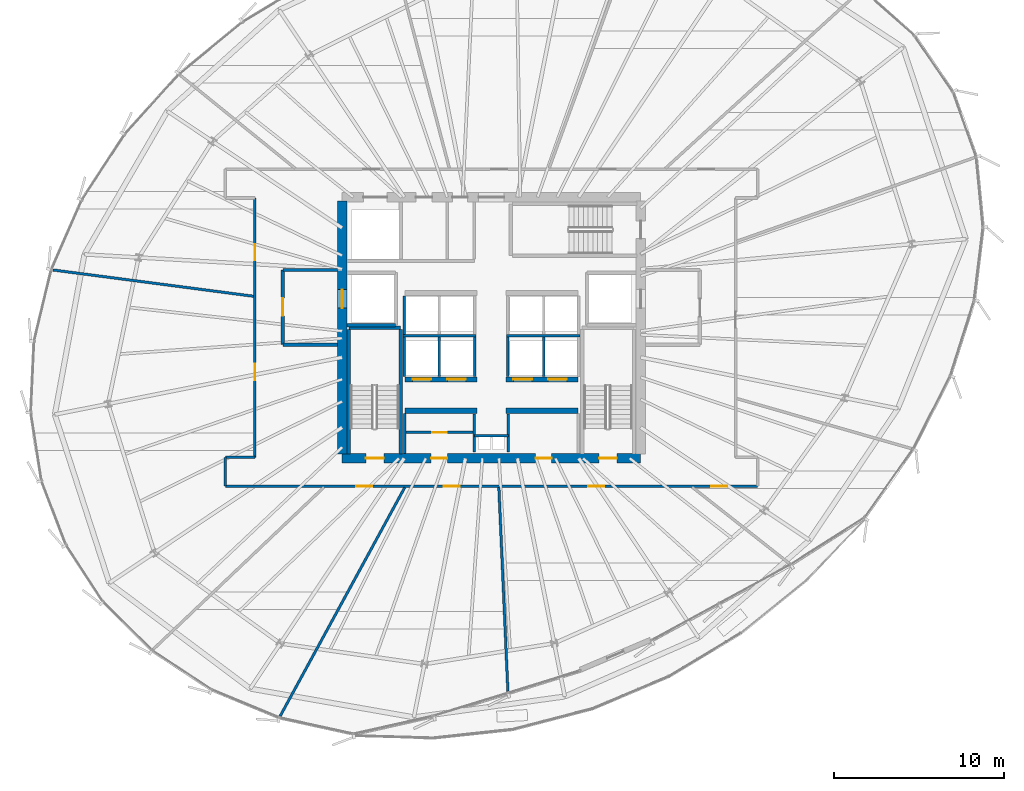
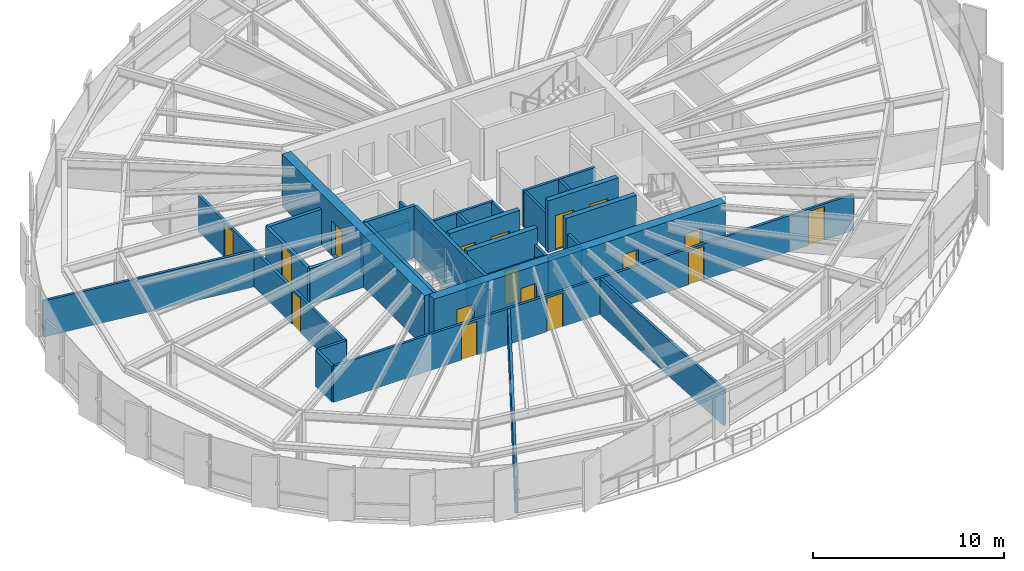
# One storey, part 29 of 36: 33 walls, 17 doors, 17 openings.
"""IFC4 building model written with IfcOpenShell, lengths in metres."""

from ifc_helpers import new_model, si_unit, direction, frame, frame_2d, origin, place, context, subcontext, project, spatial, rectangle, extrude, source, transform, mapped, material, layer, layer_set, type_object, element, fill, save


model = new_model("IFC4")

# Units and contexts
model_context = context("Model", 3, precision=1e-05, world=origin(), true_north=direction((0.0, 1.0)))
body_context = subcontext(model_context, "Body", "Model", "MODEL_VIEW")
ifc_project = project(units=[si_unit("LENGTHUNIT", "METRE"), si_unit("AREAUNIT", "SQUARE_METRE"), si_unit("VOLUMEUNIT", "CUBIC_METRE"), si_unit("PLANEANGLEUNIT", "RADIAN"), si_unit("MASSUNIT", "GRAM", prefix="KILO"), si_unit("THERMODYNAMICTEMPERATUREUNIT", "KELVIN")], contexts=[model_context])

# Site, building, storey
site_placement = place(None, origin())
site = spatial("IfcSite", under=ifc_project, at=site_placement, CompositionType="ELEMENT")
building_placement = place(site_placement, origin())
building = spatial("IfcBuilding", under=site, at=building_placement, Name="Kethvar Cultural Tower", CompositionType="ELEMENT")
storey_placement = place(building_placement, frame((0.0, 0.0, 143.0)))
storey = spatial("IfcBuildingStorey", under=building, at=storey_placement, Name="L36", CompositionType="ELEMENT", Elevation=143.0)

# Wall, openings, doors
ifc_material_1 = material(Name="Concrete C60/75", Category="concrete")
ifc_layer_1 = layer(ifc_material_1, 0.550048828125, Name="Concrete C60/75", Category="concrete")
ifc_layer_set_1 = layer_set([ifc_layer_1], Name="Concrete C60/75 (550 mm)")
wall_type_1 = type_object("IfcWallType", Name="WL-CORE-550", PredefinedType="SHEAR", material=ifc_layer_set_1)
wall_1_placement = place(storey_placement, frame((38.0, 20.10009765625, 0.0), z_axis=(0.0, 0.0, 1.0), x_axis=(1.0, 0.0, 0.0)))
wall_1 = element("IfcWall", 1, at=wall_1_placement, inside=storey, type_object=wall_type_1, Name="L36 Core Shear Wall S", PredefinedType="SHEAR", context=body_context, shape_type="SweptSolid", body=[
    extrude(rectangle(XDim=17.60009765625, YDim=0.550048828125, at=frame_2d((8.800048828125, 0.0))), origin(), (0.0, 0.0, 1.0), 3.300048828125),
])
opening_1_placement = place(wall_1_placement, frame((1.39990234375, 0.0, 0.0)))
opening_1 = element("IfcOpeningElement", 2, at=opening_1_placement, cuts=wall_1, Name="Opening D-L36-S1", PredefinedType="OPENING", context=body_context, shape_type="SweptSolid", body=[
    extrude(rectangle(XDim=1.050048828125, YDim=2.14990234375, at=frame_2d((0.52490234375, 1.074951171875))), frame((0.0, 0.284912109375, 0.0), z_axis=(0.0, -1.0, 0.0), x_axis=(1.0, 0.0, 0.0)), (0.0, 0.0, 1.0), 0.570068359375),
])
opening_2_placement = place(wall_1_placement, frame((15.14990234375, 0.0, 0.0)))
opening_2 = element("IfcOpeningElement", 3, at=opening_2_placement, cuts=wall_1, Name="Opening D-L36-ST2", PredefinedType="OPENING", context=body_context, shape_type="SweptSolid", body=[
    extrude(rectangle(XDim=1.050048828125, YDim=2.14990234375, at=frame_2d((0.52490234375, 1.074951171875))), frame((0.0, 0.284912109375, 0.0), z_axis=(0.0, -1.0, 0.0), x_axis=(1.0, 0.0, 0.0)), (0.0, 0.0, 1.0), 0.570068359375),
])
opening_3_placement = place(wall_1_placement, frame((5.25, 0.0, 0.0)))
opening_3 = element("IfcOpeningElement", 4, at=opening_3_placement, cuts=wall_1, Name="Opening D-L36-V1", PredefinedType="OPENING", context=body_context, shape_type="SweptSolid", body=[
    extrude(rectangle(XDim=0.949951171875, YDim=2.14990234375, at=frame_2d((0.47509765625, 1.074951171875))), frame((0.0, 0.284912109375, 0.0), z_axis=(0.0, -1.0, 0.0), x_axis=(1.0, 0.0, 0.0)), (0.0, 0.0, 1.0), 0.570068359375),
])
opening_4_placement = place(wall_1_placement, frame((11.39990234375, 0.0, 0.0)))
opening_4 = element("IfcOpeningElement", 5, at=opening_4_placement, cuts=wall_1, Name="Opening D-L36-V2", PredefinedType="OPENING", context=body_context, shape_type="SweptSolid", body=[
    extrude(rectangle(XDim=0.949951171875, YDim=2.14990234375, at=frame_2d((0.47509765625, 1.074951171875))), frame((0.0, 0.284912109375, 0.0), z_axis=(0.0, -1.0, 0.0), x_axis=(1.0, 0.0, 0.0)), (0.0, 0.0, 1.0), 0.570068359375),
])
ifc_material_2 = material(Name="Steel S355J2", Category="steel")
door_type_1 = type_object("IfcDoorType", Name="DR-FD60-1050", OperationType="NOTDEFINED", PredefinedType="DOOR", material=ifc_material_2)
shared_shape_1 = source(origin(), body_context, "Body", "SweptSolid", [
    extrude(rectangle(XDim=1.050048828125, YDim=2.14990234375, at=frame_2d((0.52490234375, 1.074951171875))), frame((0.0, 0.02490234375, 0.0), z_axis=(0.0, -1.0, 0.0), x_axis=(1.0, 0.0, 0.0)), (0.0, 0.0, 1.0), 0.050048828125),
])
door_1_placement = place(opening_1_placement, origin())
door_1 = element("IfcDoor", 6, at=door_1_placement, inside=storey, type_object=door_type_1, Name="L36 Exit Stair 1 Door", OperationType="SINGLE_SWING_LEFT", OverallHeight=2.14990234375, OverallWidth=1.050048828125, PredefinedType="DOOR", context=body_context, shape_type="MappedRepresentation", body=[
    mapped(shared_shape_1, transform((0.0, 0.0, 0.0), scale=1.0)),
])
fill(opening_1, door_1)
door_2_placement = place(opening_2_placement, origin())
door_2 = element("IfcDoor", 7, at=door_2_placement, inside=storey, type_object=door_type_1, Name="L36 Exit Stair 2 Door", OperationType="SINGLE_SWING_RIGHT", OverallHeight=2.14990234375, OverallWidth=1.050048828125, PredefinedType="DOOR", context=body_context, shape_type="MappedRepresentation", body=[
    mapped(shared_shape_1, transform((0.0, 0.0, 0.0), scale=1.0)),
])
fill(opening_2, door_2)
ifc_material_3 = material(Name="Architectural Oak Timber", Category="wood")
door_type_2 = type_object("IfcDoorType", Name="DR-FD30-950", OperationType="NOTDEFINED", PredefinedType="DOOR", material=ifc_material_3)
shared_shape_2 = source(origin(), body_context, "Body", "SweptSolid", [
    extrude(rectangle(XDim=0.949951171875, YDim=2.14990234375, at=frame_2d((0.47509765625, 1.074951171875))), frame((0.0, 0.02490234375, 0.0), z_axis=(0.0, -1.0, 0.0), x_axis=(1.0, 0.0, 0.0)), (0.0, 0.0, 1.0), 0.050048828125),
])
door_3_placement = place(opening_3_placement, origin())
door_3 = element("IfcDoor", 8, at=door_3_placement, inside=storey, type_object=door_type_2, Name="L36 Reclaimed West South Door", OperationType="SINGLE_SWING_LEFT", OverallHeight=2.14990234375, OverallWidth=0.949951171875, PredefinedType="DOOR", context=body_context, shape_type="MappedRepresentation", body=[
    mapped(shared_shape_2, transform((0.0, 0.0, 0.0), scale=1.0)),
])
fill(opening_3, door_3)
door_4_placement = place(opening_4_placement, origin())
door_4 = element("IfcDoor", 9, at=door_4_placement, inside=storey, type_object=door_type_2, Name="L36 Reclaimed East Server Door", OperationType="SINGLE_SWING_RIGHT", OverallHeight=2.14990234375, OverallWidth=0.949951171875, PredefinedType="DOOR", context=body_context, shape_type="MappedRepresentation", body=[
    mapped(shared_shape_2, transform((0.0, 0.0, 0.0), scale=1.0)),
])
fill(opening_4, door_4)

# Wall, opening, door
wall_2_placement = place(storey_placement, frame((38.0, 35.260009765625, 0.0), z_axis=(0.0, 0.0, 1.0), x_axis=(0.0, -1.0, 0.0)))
wall_2 = element("IfcWall", 10, at=wall_2_placement, inside=storey, type_object=wall_type_1, Name="L36 Core Shear Wall W", PredefinedType="SHEAR", context=body_context, shape_type="SweptSolid", body=[
    extrude(rectangle(XDim=14.919921875, YDim=0.550048828125, at=frame_2d((7.4599609375, 0.0))), origin(), (0.0, 0.0, 1.0), 3.300048828125),
])
opening_5_placement = place(wall_2_placement, frame((5.2099609375, 0.0, 0.0)))
opening_5 = element("IfcOpeningElement", 11, at=opening_5_placement, cuts=wall_2, Name="Opening LD-1", PredefinedType="OPENING", context=body_context, shape_type="SweptSolid", body=[
    extrude(rectangle(XDim=1.10009765625, YDim=2.199951171875, at=frame_2d((0.550048828125, 1.10009765625))), frame((0.0, 0.284912109375, 0.0), z_axis=(0.0, -1.0, 0.0), x_axis=(1.0, 0.0, 0.0)), (0.0, 0.0, 1.0), 0.570068359375),
])
door_type_3 = type_object("IfcDoorType", Name="DR-LIFT-SLIDE-1100", OperationType="NOTDEFINED", PredefinedType="DOOR", material=ifc_material_2)
shared_shape_3 = source(origin(), body_context, "Body", "SweptSolid", [
    extrude(rectangle(XDim=1.10009765625, YDim=2.199951171875, at=frame_2d((0.550048828125, 1.10009765625))), frame((0.0, 0.02490234375, 0.0), z_axis=(0.0, -1.0, 0.0), x_axis=(1.0, 0.0, 0.0)), (0.0, 0.0, 1.0), 0.050048828125),
])
door_5_placement = place(opening_5_placement, origin())
door_5 = element("IfcDoor", 12, at=door_5_placement, inside=storey, type_object=door_type_3, Name="L36 Firefighting Lift Landing Door FFL-01", OperationType="SLIDING_TO_LEFT", OverallHeight=2.199951171875, OverallWidth=1.10009765625, PredefinedType="DOOR", context=body_context, shape_type="MappedRepresentation", body=[
    mapped(shared_shape_3, transform((0.0, 0.0, 0.0), scale=1.0)),
])
fill(opening_5, door_5)

# Walls
ifc_material_4 = material(Name="Gypsum Fireboard Partition")
ifc_layer_2 = layer(ifc_material_4, 0.14990234375, Name="Gypsum Fireboard Partition")
ifc_layer_set_2 = layer_set([ifc_layer_2], Name="Gypsum Fireboard Partition (150 mm)")
wall_type_2 = type_object("IfcWallType", Name="WL-FIRE-150", PredefinedType="PARTITIONING", material=ifc_layer_set_2)
wall_3_placement = place(storey_placement, frame((45.800048828125, 21.419921875, 0.0), z_axis=(0.0, 0.0, 1.0), x_axis=(1.0, 0.0, 0.0)))
element("IfcWall", 13, at=wall_3_placement, inside=storey, type_object=wall_type_2, Name="L36 Core Riser Wall", PredefinedType="PARTITIONING", context=body_context, shape_type="SweptSolid", body=[
    extrude(rectangle(XDim=2.0, YDim=0.14990234375, at=frame_2d((1.0, 0.0))), origin(), (0.0, 0.0, 1.0), 2.304931640625),
])
for number, where, z_axis, x_axis, name in (
    (14, (45.800048828125, 20.47998046875, 0.0), (0.0, 0.0, 1.0), (0.0, 1.0, 0.0), "L36 Core Riser West Wall"),
    (15, (47.800048828125, 20.47998046875, 0.0), (0.0, 0.0, 1.0), (0.0, 1.0, 0.0), "L36 Core Riser East Wall"),
):
    element("IfcWall", number, at=place(storey_placement, frame(where, z_axis=z_axis, x_axis=x_axis)), inside=storey, type_object=wall_type_2, Name=name, PredefinedType="PARTITIONING", context=body_context, shape_type="SweptSolid", body=[
        extrude(rectangle(XDim=2.239990234375, YDim=0.14990234375, at=frame_2d((1.1201171875, 0.0))), origin(), (0.0, 0.0, 1.0), 2.304931640625),
    ])
wall_4_placement = place(storey_placement, frame((41.679931640625, 20.385009765625, 0.0), z_axis=(0.0, 0.0, 1.0), x_axis=(0.0, 1.0, 0.0)))
element("IfcWall", 16, at=wall_4_placement, inside=storey, type_object=wall_type_2, Name="L36 Reclaimed West Outer Wall", PredefinedType="PARTITIONING", context=body_context, shape_type="SweptSolid", body=[
    extrude(rectangle(XDim=2.344970703125, YDim=0.14990234375, at=frame_2d((1.17236328125, 0.0))), origin(), (0.0, 0.0, 1.0), 2.304931640625),
])

# Wall, opening, door
wall_5_placement = place(storey_placement, frame((41.760009765625, 21.6201171875, 0.0), z_axis=(0.0, 0.0, 1.0), x_axis=(1.0, 0.0, 0.0)))
wall_5 = element("IfcWall", 17, at=wall_5_placement, inside=storey, type_object=wall_type_2, Name="L36 Vault Gallery Wall W", PredefinedType="PARTITIONING", context=body_context, shape_type="SweptSolid", body=[
    extrude(rectangle(XDim=3.9599609375, YDim=0.14990234375, at=frame_2d((1.97998046875, 0.0))), origin(), (0.0, 0.0, 1.0), 2.304931640625),
])
opening_6_placement = place(wall_5_placement, frame((1.550048828125, 0.0, 0.0)))
opening_6 = element("IfcOpeningElement", 18, at=opening_6_placement, cuts=wall_5, Name="Opening D-L36-V3", PredefinedType="OPENING", context=body_context, shape_type="SweptSolid", body=[
    extrude(rectangle(XDim=0.85009765625, YDim=2.14990234375, at=frame_2d((0.425048828125, 1.074951171875))), frame((0.0, 0.0849609375, 0.0), z_axis=(0.0, -1.0, 0.0), x_axis=(1.0, 0.0, 0.0)), (0.0, 0.0, 1.0), 0.169921875),
])
door_type_4 = type_object("IfcDoorType", Name="DR-FD30-850", OperationType="NOTDEFINED", PredefinedType="DOOR", material=ifc_material_2)
shared_shape_4 = source(origin(), body_context, "Body", "SweptSolid", [
    extrude(rectangle(XDim=0.85009765625, YDim=2.14990234375, at=frame_2d((0.425048828125, 1.074951171875))), frame((0.0, 0.02490234375, 0.0), z_axis=(0.0, -1.0, 0.0), x_axis=(1.0, 0.0, 0.0)), (0.0, 0.0, 1.0), 0.050048828125),
])
door_6_placement = place(opening_6_placement, origin())
door_6 = element("IfcDoor", 19, at=door_6_placement, inside=storey, type_object=door_type_4, Name="L36 Inner Vault Gallery Door", OperationType="SINGLE_SWING_LEFT", OverallHeight=2.14990234375, OverallWidth=0.85009765625, PredefinedType="DOOR", context=body_context, shape_type="MappedRepresentation", body=[
    mapped(shared_shape_4, transform((0.0, 0.0, 0.0), scale=1.0)),
])
fill(opening_6, door_6)

# Walls
wall_6_placement = place(storey_placement, frame((41.580078125, 27.324951171875, 0.0), z_axis=(0.0, 0.0, 1.0), x_axis=(1.0, 0.0, 0.0)))
element("IfcWall", 20, at=wall_6_placement, inside=storey, type_object=wall_type_2, Name="L36 Mid-High Lift Shaft Back Wall W", PredefinedType="PARTITIONING", context=body_context, shape_type="SweptSolid", body=[
    extrude(rectangle(XDim=4.31982421875, YDim=0.14990234375, at=frame_2d((2.159912109375, 0.0))), origin(), (0.0, 0.0, 1.0), 2.304931640625),
])
wall_7_placement = place(storey_placement, frame((47.699951171875, 27.324951171875, 0.0), z_axis=(0.0, 0.0, 1.0), x_axis=(1.0, 0.0, 0.0)))
element("IfcWall", 21, at=wall_7_placement, inside=storey, type_object=wall_type_2, Name="L36 Mid-High Lift Shaft Back Wall E", PredefinedType="PARTITIONING", context=body_context, shape_type="SweptSolid", body=[
    extrude(rectangle(XDim=4.320068359375, YDim=0.14990234375, at=frame_2d((2.16015625, 0.0))), origin(), (0.0, 0.0, 1.0), 2.304931640625),
])
for number, where, z_axis, x_axis, name in (
    (22, (41.64990234375, 24.919921875, 0.0), (0.0, 0.0, 1.0), (0.0, 1.0, 0.0), "L36 Mid-Rise Lift Shaft Outer Wall W"),
    (23, (43.72509765625, 24.919921875, 0.0), (0.0, 0.0, 1.0), (0.0, 1.0, 0.0), "L36 Mid-Rise Lift Shaft Divider W"),
    (24, (45.824951171875, 24.919921875, 0.0), (0.0, 0.0, 1.0), (0.0, 1.0, 0.0), "L36 Mid-Rise Lift Shaft Concourse Wall W"),
    (25, (47.77490234375, 24.919921875, 0.0), (0.0, 0.0, 1.0), (0.0, 1.0, 0.0), "L36 Mid-Rise Lift Shaft Concourse Wall E"),
    (26, (49.875, 24.919921875, 0.0), (0.0, 0.0, 1.0), (0.0, 1.0, 0.0), "L36 Mid-Rise Lift Shaft Divider E"),
):
    element("IfcWall", number, at=place(storey_placement, frame(where, z_axis=z_axis, x_axis=x_axis)), inside=storey, type_object=wall_type_2, Name=name, PredefinedType="PARTITIONING", context=body_context, shape_type="SweptSolid", body=[
        extrude(rectangle(XDim=2.320068359375, YDim=0.14990234375, at=frame_2d((1.16015625, 0.0))), origin(), (0.0, 0.0, 1.0), 2.304931640625),
    ])
wall_8_placement = place(storey_placement, frame((41.64990234375, 27.409912109375, 0.0), z_axis=(0.0, 0.0, 1.0), x_axis=(0.0, 1.0, 0.0)))
element("IfcWall", 27, at=wall_8_placement, inside=storey, type_object=wall_type_2, Name="L36 High-Rise Lift Shaft Outer Wall W", PredefinedType="PARTITIONING", context=body_context, shape_type="SweptSolid", body=[
    extrude(rectangle(XDim=2.27001953125, YDim=0.14990234375, at=frame_2d((1.135009765625, 0.0))), origin(), (0.0, 0.0, 1.0), 2.304931640625),
])

# Wall, openings, doors
wall_9_placement = place(storey_placement, frame((31.10009765625, 18.449951171875, 0.0), z_axis=(0.0, 0.0, 1.0), x_axis=(1.0, 0.0, 0.0)))
wall_9 = element("IfcWall", 28, at=wall_9_placement, inside=storey, type_object=wall_type_2, Name="L36 Corridor Rated Wall S", PredefinedType="PARTITIONING", context=body_context, shape_type="SweptSolid", body=[
    extrude(rectangle(XDim=31.39990234375, YDim=0.14990234375, at=frame_2d((15.699951171875, 0.0))), origin(), (0.0, 0.0, 1.0), 2.304931640625),
])
opening_7_placement = place(wall_9_placement, frame((7.71923828125, 0.0, 0.0)))
opening_7 = element("IfcOpeningElement", 29, at=opening_7_placement, cuts=wall_9, Name="Opening D-L36-01", PredefinedType="OPENING", context=body_context, shape_type="SweptSolid", body=[
    extrude(rectangle(XDim=0.949951171875, YDim=2.14990234375, at=frame_2d((0.47509765625, 1.074951171875))), frame((0.0, 0.0849609375, 0.0), z_axis=(0.0, -1.0, 0.0), x_axis=(1.0, 0.0, 0.0)), (0.0, 0.0, 1.0), 0.169921875),
])
opening_8_placement = place(wall_9_placement, frame((12.8876953125, 0.0, 0.0)))
opening_8 = element("IfcOpeningElement", 30, at=opening_8_placement, cuts=wall_9, Name="Opening D-L36-02", PredefinedType="OPENING", context=body_context, shape_type="SweptSolid", body=[
    extrude(rectangle(XDim=0.949951171875, YDim=2.14990234375, at=frame_2d((0.47509765625, 1.074951171875))), frame((0.0, 0.0849609375, 0.0), z_axis=(0.0, -1.0, 0.0), x_axis=(1.0, 0.0, 0.0)), (0.0, 0.0, 1.0), 0.169921875),
])
opening_9_placement = place(wall_9_placement, frame((21.4150390625, 0.0, 0.0)))
opening_9 = element("IfcOpeningElement", 31, at=opening_9_placement, cuts=wall_9, Name="Opening D-L36-03", PredefinedType="OPENING", context=body_context, shape_type="SweptSolid", body=[
    extrude(rectangle(XDim=0.949951171875, YDim=2.14990234375, at=frame_2d((0.47509765625, 1.074951171875))), frame((0.0, 0.0849609375, 0.0), z_axis=(0.0, -1.0, 0.0), x_axis=(1.0, 0.0, 0.0)), (0.0, 0.0, 1.0), 0.169921875),
])
opening_10_placement = place(wall_9_placement, frame((28.672119140625, 0.0, 0.0)))
opening_10 = element("IfcOpeningElement", 32, at=opening_10_placement, cuts=wall_9, Name="Opening D-L36-04", PredefinedType="OPENING", context=body_context, shape_type="SweptSolid", body=[
    extrude(rectangle(XDim=0.949951171875, YDim=2.14990234375, at=frame_2d((0.47509765625, 1.074951171875))), frame((0.0, 0.0849609375, 0.0), z_axis=(0.0, -1.0, 0.0), x_axis=(1.0, 0.0, 0.0)), (0.0, 0.0, 1.0), 0.169921875),
])
door_7_placement = place(opening_7_placement, origin())
door_7 = element("IfcDoor", 33, at=door_7_placement, inside=storey, type_object=door_type_2, Name="L36 Compact Archival Store 01 Door", OperationType="SINGLE_SWING_LEFT", OverallHeight=2.14990234375, OverallWidth=0.949951171875, PredefinedType="DOOR", context=body_context, shape_type="MappedRepresentation", body=[
    mapped(shared_shape_2, transform((0.0, 0.0, 0.0), scale=1.0)),
])
fill(opening_7, door_7)
door_8_placement = place(opening_8_placement, origin())
door_8 = element("IfcDoor", 34, at=door_8_placement, inside=storey, type_object=door_type_2, Name="L36 Rare Folio Storage 02 Door", OperationType="SINGLE_SWING_RIGHT", OverallHeight=2.14990234375, OverallWidth=0.949951171875, PredefinedType="DOOR", context=body_context, shape_type="MappedRepresentation", body=[
    mapped(shared_shape_2, transform((0.0, 0.0, 0.0), scale=1.0)),
])
fill(opening_8, door_8)
door_9_placement = place(opening_9_placement, origin())
door_9 = element("IfcDoor", 35, at=door_9_placement, inside=storey, type_object=door_type_2, Name="L36 Publication Archive Store 03 Door", OperationType="SINGLE_SWING_LEFT", OverallHeight=2.14990234375, OverallWidth=0.949951171875, PredefinedType="DOOR", context=body_context, shape_type="MappedRepresentation", body=[
    mapped(shared_shape_2, transform((0.0, 0.0, 0.0), scale=1.0)),
])
fill(opening_9, door_9)
door_10_placement = place(opening_10_placement, origin())
door_10 = element("IfcDoor", 36, at=door_10_placement, inside=storey, type_object=door_type_2, Name="L36 Special Collections Storage 04 Door", OperationType="SINGLE_SWING_RIGHT", OverallHeight=2.14990234375, OverallWidth=0.949951171875, PredefinedType="DOOR", context=body_context, shape_type="MappedRepresentation", body=[
    mapped(shared_shape_2, transform((0.0, 0.0, 0.0), scale=1.0)),
])
fill(opening_10, door_10)

wall_10_placement = place(storey_placement, frame((32.85009765625, 35.449951171875, 0.0), z_axis=(0.0, 0.0, 1.0), x_axis=(0.0, -1.0, 0.0)))
wall_10 = element("IfcWall", 37, at=wall_10_placement, inside=storey, type_object=wall_type_2, Name="L36 Corridor Rated Wall WM", PredefinedType="PARTITIONING", context=body_context, shape_type="SweptSolid", body=[
    extrude(rectangle(XDim=15.300048828125, YDim=0.14990234375, at=frame_2d((7.64990234375, 0.0))), origin(), (0.0, 0.0, 1.0), 2.304931640625),
])
opening_11_placement = place(wall_10_placement, frame((2.71875, 0.0, 0.0)))
opening_11 = element("IfcOpeningElement", 38, at=opening_11_placement, cuts=wall_10, Name="Opening D-L36-10", PredefinedType="OPENING", context=body_context, shape_type="SweptSolid", body=[
    extrude(rectangle(XDim=0.949951171875, YDim=2.14990234375, at=frame_2d((0.47509765625, 1.074951171875))), frame((0.0, 0.0849609375, 0.0), z_axis=(0.0, -1.0, 0.0), x_axis=(1.0, 0.0, 0.0)), (0.0, 0.0, 1.0), 0.169921875),
])
opening_12_placement = place(wall_10_placement, frame((9.78759765625, 0.0, 0.0)))
opening_12 = element("IfcOpeningElement", 39, at=opening_12_placement, cuts=wall_10, Name="Opening D-L36-11", PredefinedType="OPENING", context=body_context, shape_type="SweptSolid", body=[
    extrude(rectangle(XDim=0.949951171875, YDim=2.14990234375, at=frame_2d((0.47509765625, 1.074951171875))), frame((0.0, 0.0849609375, 0.0), z_axis=(0.0, -1.0, 0.0), x_axis=(1.0, 0.0, 0.0)), (0.0, 0.0, 1.0), 0.169921875),
])
door_11_placement = place(opening_11_placement, origin())
door_11 = element("IfcDoor", 40, at=door_11_placement, inside=storey, type_object=door_type_2, Name="L36 Delegation Briefing Foyer 10 Door", OperationType="SINGLE_SWING_RIGHT", OverallHeight=2.14990234375, OverallWidth=0.949951171875, PredefinedType="DOOR", context=body_context, shape_type="MappedRepresentation", body=[
    mapped(shared_shape_2, transform((0.0, 0.0, 0.0), scale=1.0)),
])
fill(opening_11, door_11)
door_12_placement = place(opening_12_placement, origin())
door_12 = element("IfcDoor", 41, at=door_12_placement, inside=storey, type_object=door_type_2, Name="L36 Executive Boardroom 11 Door", OperationType="SINGLE_SWING_LEFT", OverallHeight=2.14990234375, OverallWidth=0.949951171875, PredefinedType="DOOR", context=body_context, shape_type="MappedRepresentation", body=[
    mapped(shared_shape_2, transform((0.0, 0.0, 0.0), scale=1.0)),
])
fill(opening_12, door_12)

# Walls
wall_11_placement = place(storey_placement, frame((32.85009765625, 20.14990234375, 0.0), z_axis=(0.0, 0.0, 1.0), x_axis=(-1.0, 0.0, 0.0)))
element("IfcWall", 42, at=wall_11_placement, inside=storey, type_object=wall_type_2, Name="L36 Corridor Rated Wall WST", PredefinedType="PARTITIONING", context=body_context, shape_type="SweptSolid", body=[
    extrude(rectangle(XDim=1.75, YDim=0.14990234375, at=frame_2d((0.875, 0.0))), origin(), (0.0, 0.0, 1.0), 2.304931640625),
])
wall_12_placement = place(storey_placement, frame((31.10009765625, 20.14990234375, 0.0), z_axis=(0.0, 0.0, 1.0), x_axis=(0.0, -1.0, 0.0)))
element("IfcWall", 43, at=wall_12_placement, inside=storey, type_object=wall_type_2, Name="L36 Corridor Rated Wall WS", PredefinedType="PARTITIONING", context=body_context, shape_type="SweptSolid", body=[
    extrude(rectangle(XDim=1.699951171875, YDim=0.14990234375, at=frame_2d((0.85009765625, 0.0))), origin(), (0.0, 0.0, 1.0), 2.304931640625),
])
ifc_material_5 = material(Name="Concrete C40/50", Category="concrete")
ifc_layer_3 = layer(ifc_material_5, 0.199951171875, Name="Concrete C40/50", Category="concrete")
ifc_layer_set_3 = layer_set([ifc_layer_3], Name="Concrete C40/50 (200 mm)")
wall_type_3 = type_object("IfcWallType", Name="WL-FIRE-200", PredefinedType="PARTITIONING", material=ifc_layer_set_3)
wall_13_placement = place(storey_placement, frame((38.284912109375, 27.949951171875, 0.0), z_axis=(0.0, 0.0, 1.0), x_axis=(1.0, 0.0, 0.0)))
element("IfcWall", 44, at=wall_13_placement, inside=storey, type_object=wall_type_3, Name="L36 FFL-01 Shaft South Wall", PredefinedType="PARTITIONING", context=body_context, shape_type="SweptSolid", body=[
    extrude(rectangle(XDim=2.864990234375, YDim=0.199951171875, at=frame_2d((1.4326171875, 0.0))), origin(), (0.0, 0.0, 1.0), 2.304931640625),
])

# Wall, opening, door
wall_14_placement = place(storey_placement, frame((34.5, 31.199951171875, 0.0), z_axis=(0.0, 0.0, 1.0), x_axis=(0.0, -1.0, 0.0)))
wall_14 = element("IfcWall", 45, at=wall_14_placement, inside=storey, type_object=wall_type_3, Name="L36 Firefighting Lobby 1 Wall", PredefinedType="PARTITIONING", context=body_context, shape_type="SweptSolid", body=[
    extrude(rectangle(XDim=4.39990234375, YDim=0.199951171875, at=frame_2d((2.199951171875, 0.0))), origin(), (0.0, 0.0, 1.0), 2.304931640625),
])
opening_13_placement = place(wall_14_placement, frame((1.64990234375, 0.0, 0.0)))
opening_13 = element("IfcOpeningElement", 46, at=opening_13_placement, cuts=wall_14, Name="Opening D-L36-F1", PredefinedType="OPENING", context=body_context, shape_type="SweptSolid", body=[
    extrude(rectangle(XDim=1.050048828125, YDim=2.14990234375, at=frame_2d((0.52490234375, 1.074951171875))), frame((0.0, 0.10986328125, 0.0), z_axis=(0.0, -1.0, 0.0), x_axis=(1.0, 0.0, 0.0)), (0.0, 0.0, 1.0), 0.219970703125),
])
door_13_placement = place(opening_13_placement, origin())
door_13 = element("IfcDoor", 47, at=door_13_placement, inside=storey, type_object=door_type_1, Name="L36 Firefighting Lobby 1 Fire Door", OperationType="SINGLE_SWING_LEFT", OverallHeight=2.14990234375, OverallWidth=1.050048828125, PredefinedType="DOOR", context=body_context, shape_type="MappedRepresentation", body=[
    mapped(shared_shape_1, transform((0.0, 0.0, 0.0), scale=1.0)),
])
fill(opening_13, door_13)

# Walls
for number, where, z_axis, x_axis, name in (
    (48, (34.5, 26.800048828125, 0.0), (0.0, 0.0, 1.0), (1.0, 0.0, 0.0), "L36 FF Lobby 1 South Wall"),
    (49, (34.5, 31.199951171875, 0.0), (0.0, 0.0, 1.0), (1.0, 0.0, 0.0), "L36 FF Lobby 1 North Wall"),
):
    element("IfcWall", number, at=place(storey_placement, frame(where, z_axis=z_axis, x_axis=x_axis)), inside=storey, type_object=wall_type_3, Name=name, PredefinedType="PARTITIONING", context=body_context, shape_type="SweptSolid", body=[
        extrude(rectangle(XDim=3.215087890625, YDim=0.199951171875, at=frame_2d((1.607421875, 0.0))), origin(), (0.0, 0.0, 1.0), 2.304931640625),
    ])
ifc_material_6 = material(Name="Gypsum Acoustic Partition")
ifc_layer_4 = layer(ifc_material_6, 0.14990234375, Name="Gypsum Acoustic Partition")
ifc_layer_set_4 = layer_set([ifc_layer_4], Name="Gypsum Acoustic Partition (150 mm)")
wall_type_4 = type_object("IfcWallType", Name="WL-PART-150", PredefinedType="PARTITIONING", material=ifc_layer_set_4)
wall_15_placement = place(storey_placement, frame((41.68994140625, 18.3798828125, 0.0), z_axis=(0.0, 0.0, 1.0), x_axis=(-0.478524839703, -0.878074016121, 0.0)))
element("IfcWall", 50, at=wall_15_placement, inside=storey, type_object=wall_type_4, Name="L36 Radial Partition Wall 02", PredefinedType="PARTITIONING", context=body_context, shape_type="SweptSolid", body=[
    extrude(rectangle(XDim=15.366943359375, YDim=0.14990234375, at=frame_2d((7.68359375, 0.0))), origin(), (0.0, 0.0, 1.0), 2.304931640625),
])
wall_16_placement = place(storey_placement, frame((47.239013671875, 18.3701171875, 0.0), z_axis=(0.0, 0.0, 1.0), x_axis=(0.044266919643, -0.999019739457, 0.0)))
element("IfcWall", 51, at=wall_16_placement, inside=storey, type_object=wall_type_4, Name="L36 Radial Partition Wall 03", PredefinedType="PARTITIONING", context=body_context, shape_type="SweptSolid", body=[
    extrude(rectangle(XDim=12.028564453125, YDim=0.14990234375, at=frame_2d((6.01416015625, 0.0))), origin(), (0.0, 0.0, 1.0), 2.304931640625),
])
wall_17_placement = place(storey_placement, frame((32.770751953125, 29.652587890625, 0.0), z_axis=(0.0, 0.0, 1.0), x_axis=(-0.991514028733, 0.129999733947, 0.0)))
element("IfcWall", 52, at=wall_17_placement, inside=storey, type_object=wall_type_4, Name="L36 Radial Partition Wall 11", PredefinedType="PARTITIONING", context=body_context, shape_type="SweptSolid", body=[
    extrude(rectangle(XDim=11.92919921875, YDim=0.14990234375, at=frame_2d((5.964599609375, 0.0))), origin(), (0.0, 0.0, 1.0), 2.304931640625),
])
ifc_material_7 = material(Name="Concrete C50/60", Category="concrete")
ifc_layer_5 = layer(ifc_material_7, 0.300048828125, Name="Concrete C50/60", Category="concrete")
ifc_layer_set_5 = layer_set([ifc_layer_5], Name="Concrete C50/60 (300 mm)")
wall_type_5 = type_object("IfcWallType", Name="WL-SHAFT-300", PredefinedType="SHEAR", material=ifc_layer_set_5)
for number, where, z_axis, x_axis, name in (
    (53, (41.699951171875, 22.89990234375, 0.0), (0.0, 0.0, 1.0), (1.0, 0.0, 0.0), "L36 Core Lift Spine Wall MID1W"),
    (54, (47.64990234375, 22.89990234375, 0.0), (0.0, 0.0, 1.0), (1.0, 0.0, 0.0), "L36 Core Lift Spine Wall MID1E"),
):
    element("IfcWall", number, at=place(storey_placement, frame(where, z_axis=z_axis, x_axis=x_axis)), inside=storey, type_object=wall_type_5, Name=name, PredefinedType="SHEAR", context=body_context, shape_type="SweptSolid", body=[
        extrude(rectangle(XDim=4.25, YDim=0.300048828125, at=frame_2d((2.125, 0.0))), origin(), (0.0, 0.0, 1.0), 3.300048828125),
    ])

# Wall, openings, doors
wall_18_placement = place(storey_placement, frame((41.699951171875, 24.75, 0.0), z_axis=(0.0, 0.0, 1.0), x_axis=(1.0, 0.0, 0.0)))
wall_18 = element("IfcWall", 55, at=wall_18_placement, inside=storey, type_object=wall_type_5, Name="L36 Core Lift Spine Wall MID2W", PredefinedType="SHEAR", context=body_context, shape_type="SweptSolid", body=[
    extrude(rectangle(XDim=4.25, YDim=0.300048828125, at=frame_2d((2.125, 0.0))), origin(), (0.0, 0.0, 1.0), 3.300048828125),
])
opening_14_placement = place(wall_18_placement, frame((0.449951171875, 0.0, 0.0)))
opening_14 = element("IfcOpeningElement", 56, at=opening_14_placement, cuts=wall_18, Name="Opening LD-M1", PredefinedType="OPENING", context=body_context, shape_type="SweptSolid", body=[
    extrude(rectangle(XDim=1.10009765625, YDim=2.199951171875, at=frame_2d((0.550048828125, 1.10009765625))), frame((0.0, 0.159912109375, 0.0), z_axis=(0.0, -1.0, 0.0), x_axis=(1.0, 0.0, 0.0)), (0.0, 0.0, 1.0), 0.320068359375),
])
opening_15_placement = place(wall_18_placement, frame((2.5, 0.0, 0.0)))
opening_15 = element("IfcOpeningElement", 57, at=opening_15_placement, cuts=wall_18, Name="Opening LD-M2", PredefinedType="OPENING", context=body_context, shape_type="SweptSolid", body=[
    extrude(rectangle(XDim=1.10009765625, YDim=2.199951171875, at=frame_2d((0.550048828125, 1.10009765625))), frame((0.0, 0.159912109375, 0.0), z_axis=(0.0, -1.0, 0.0), x_axis=(1.0, 0.0, 0.0)), (0.0, 0.0, 1.0), 0.320068359375),
])
door_14_placement = place(opening_14_placement, origin())
door_14 = element("IfcDoor", 58, at=door_14_placement, inside=storey, type_object=door_type_3, Name="L36 Mid-Rise Lift Landing Door M1", OperationType="SLIDING_TO_RIGHT", OverallHeight=2.199951171875, OverallWidth=1.10009765625, PredefinedType="DOOR", context=body_context, shape_type="MappedRepresentation", body=[
    mapped(shared_shape_3, transform((0.0, 0.0, 0.0), scale=1.0)),
])
fill(opening_14, door_14)
door_15_placement = place(opening_15_placement, origin())
door_15 = element("IfcDoor", 59, at=door_15_placement, inside=storey, type_object=door_type_3, Name="L36 Mid-Rise Lift Landing Door M2", OperationType="SLIDING_TO_RIGHT", OverallHeight=2.199951171875, OverallWidth=1.10009765625, PredefinedType="DOOR", context=body_context, shape_type="MappedRepresentation", body=[
    mapped(shared_shape_3, transform((0.0, 0.0, 0.0), scale=1.0)),
])
fill(opening_15, door_15)

wall_19_placement = place(storey_placement, frame((47.64990234375, 24.75, 0.0), z_axis=(0.0, 0.0, 1.0), x_axis=(1.0, 0.0, 0.0)))
wall_19 = element("IfcWall", 60, at=wall_19_placement, inside=storey, type_object=wall_type_5, Name="L36 Core Lift Spine Wall MID2E", PredefinedType="SHEAR", context=body_context, shape_type="SweptSolid", body=[
    extrude(rectangle(XDim=4.25, YDim=0.300048828125, at=frame_2d((2.125, 0.0))), origin(), (0.0, 0.0, 1.0), 3.300048828125),
])
opening_16_placement = place(wall_19_placement, frame((0.449951171875, 0.0, 0.0)))
opening_16 = element("IfcOpeningElement", 61, at=opening_16_placement, cuts=wall_19, Name="Opening LD-M3", PredefinedType="OPENING", context=body_context, shape_type="SweptSolid", body=[
    extrude(rectangle(XDim=1.10009765625, YDim=2.199951171875, at=frame_2d((0.550048828125, 1.10009765625))), frame((0.0, 0.159912109375, 0.0), z_axis=(0.0, -1.0, 0.0), x_axis=(1.0, 0.0, 0.0)), (0.0, 0.0, 1.0), 0.320068359375),
])
opening_17_placement = place(wall_19_placement, frame((2.5, 0.0, 0.0)))
opening_17 = element("IfcOpeningElement", 62, at=opening_17_placement, cuts=wall_19, Name="Opening LD-M4", PredefinedType="OPENING", context=body_context, shape_type="SweptSolid", body=[
    extrude(rectangle(XDim=1.10009765625, YDim=2.199951171875, at=frame_2d((0.550048828125, 1.10009765625))), frame((0.0, 0.159912109375, 0.0), z_axis=(0.0, -1.0, 0.0), x_axis=(1.0, 0.0, 0.0)), (0.0, 0.0, 1.0), 0.320068359375),
])
door_16_placement = place(opening_16_placement, origin())
door_16 = element("IfcDoor", 63, at=door_16_placement, inside=storey, type_object=door_type_3, Name="L36 Mid-Rise Lift Landing Door M3", OperationType="SLIDING_TO_RIGHT", OverallHeight=2.199951171875, OverallWidth=1.10009765625, PredefinedType="DOOR", context=body_context, shape_type="MappedRepresentation", body=[
    mapped(shared_shape_3, transform((0.0, 0.0, 0.0), scale=1.0)),
])
fill(opening_16, door_16)
door_17_placement = place(opening_17_placement, origin())
door_17 = element("IfcDoor", 64, at=door_17_placement, inside=storey, type_object=door_type_3, Name="L36 Mid-Rise Lift Landing Door M4", OperationType="SLIDING_TO_RIGHT", OverallHeight=2.199951171875, OverallWidth=1.10009765625, PredefinedType="DOOR", context=body_context, shape_type="MappedRepresentation", body=[
    mapped(shared_shape_3, transform((0.0, 0.0, 0.0), scale=1.0)),
])
fill(opening_17, door_17)

# Walls
ifc_layer_6 = layer(ifc_material_7, 0.199951171875, Name="Concrete C50/60", Category="concrete")
ifc_layer_set_6 = layer_set([ifc_layer_6], Name="Concrete C50/60 (200 mm)")
wall_type_6 = type_object("IfcWallType", Name="WL-STSHAFT-200", PredefinedType="SHEAR", material=ifc_layer_set_6)
wall_20_placement = place(storey_placement, frame((38.389892578125, 27.800048828125, 0.0), z_axis=(0.0, 0.0, 1.0), x_axis=(1.0, 0.0, 0.0)))
element("IfcWall", 65, at=wall_20_placement, inside=storey, type_object=wall_type_6, Name="L36 ST-01 Stair Shaft Wall FAR", PredefinedType="SHEAR", context=body_context, shape_type="SweptSolid", body=[
    extrude(rectangle(XDim=3.06005859375, YDim=0.199951171875, at=frame_2d((1.530029296875, 0.0))), origin(), (0.0, 0.0, 1.0), 3.300048828125),
])
for number, where, z_axis, x_axis, name in (
    (66, (41.449951171875, 27.699951171875, 0.0), (0.0, 0.0, 1.0), (0.0, -1.0, 0.0), "L36 ST-01 Stair Shaft Wall LEFT"),
    (67, (38.389892578125, 20.35009765625, 0.0), (0.0, 0.0, 1.0), (0.0, 1.0, 0.0), "L36 ST-01 Stair Shaft Wall RIGHT"),
):
    element("IfcWall", number, at=place(storey_placement, frame(where, z_axis=z_axis, x_axis=x_axis)), inside=storey, type_object=wall_type_6, Name=name, PredefinedType="SHEAR", context=body_context, shape_type="SweptSolid", body=[
        extrude(rectangle(XDim=7.349853515625, YDim=0.199951171875, at=frame_2d((3.6748046875, 0.0))), origin(), (0.0, 0.0, 1.0), 3.300048828125),
    ])

save(model, "model.ifc")
